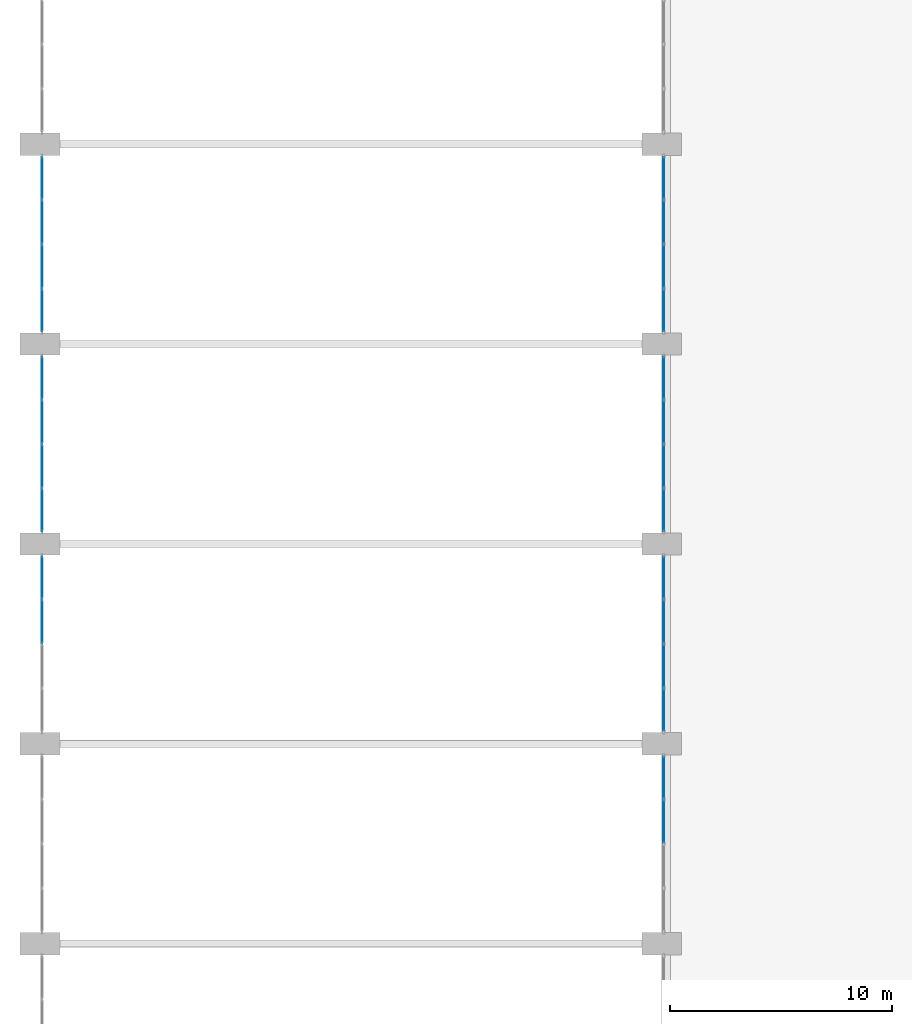
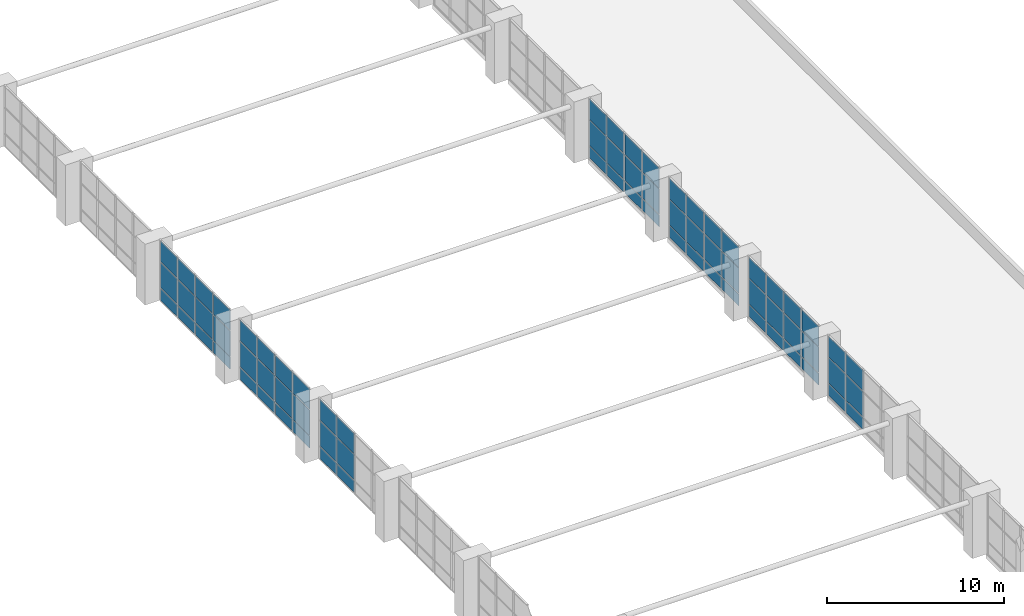
# One storey, part 12 of 21: 72 plates, 7 elements without a shape of their own.
"""IFC4 building model written with IfcOpenShell, lengths in metres."""

from ifc_helpers import new_model, si_unit, direction, frame, origin, origin_2d, place, context, subcontext, project, spatial, rectangle, extrude, material, layer, layer_set, type_object, element, aggregate, save


model = new_model("IFC4")

# Units and contexts
model_context = context("Model", 3, precision=1e-05, world=origin(), true_north=direction((0.0, 1.0)))
body_context = subcontext(model_context, "Body", "Model", "MODEL_VIEW")
ifc_project = project(units=[si_unit("LENGTHUNIT", "METRE"), si_unit("AREAUNIT", "SQUARE_METRE"), si_unit("VOLUMEUNIT", "CUBIC_METRE"), si_unit("PLANEANGLEUNIT", "RADIAN"), si_unit("MASSUNIT", "GRAM", prefix="KILO")], contexts=[model_context])

# Site, building, storey
site_placement = place(None, origin())
site = spatial("IfcSite", under=ifc_project, at=site_placement, CompositionType="ELEMENT")
building_placement = place(site_placement, origin())
building = spatial("IfcBuilding", under=site, at=building_placement, Name="Elmora Arch Market Hall", CompositionType="ELEMENT")
storey_placement = place(building_placement, frame((0.0, 0.0, 14.39990234375)))
storey = spatial("IfcBuildingStorey", under=building, at=storey_placement, Name="L03", CompositionType="ELEMENT", Elevation=14.39990234375)

# Curtain wall, plates
ifc_material_1 = material(Name="Aluminium", Category="aluminium")
curtain_wall_type = type_object("IfcCurtainWallType", Name="Hall front curtain wall", PredefinedType="NOTDEFINED", material=ifc_material_1)
curtain_wall_1_placement = place(storey_placement, origin())
curtain_wall_1 = element("IfcCurtainWall", 1, at=curtain_wall_1_placement, inside=storey, type_object=curtain_wall_type, Name="Hall west glazing L03 4", PredefinedType="NOTDEFINED")
ifc_material_2 = material(Name="Glass", Category="glass")
ifc_layer = layer(ifc_material_2, 0.028076171875)
ifc_layer_set = layer_set([ifc_layer], Name="Glass")
plate_type = type_object("IfcPlateType", Name="Glass panel 28", PredefinedType="CURTAIN_PANEL", material=ifc_layer_set)
plate_1_placement = place(storey_placement, frame((15.090087890625, 59.5, 0.06005859375), z_axis=(0.0, 0.0, 1.0), x_axis=(0.0, 1.0, 0.0)))
plate_1 = element("IfcPlate", 2, at=plate_1_placement, type_object=plate_type, Name="CW2 panel 3.1", PredefinedType="CURTAIN_PANEL", context=body_context, shape_type="SweptSolid", body=[
    extrude(rectangle(XDim=1.919921875, YDim=0.028076171875, at=origin_2d()), origin(), (0.0, 0.0, 1.0), 0.81005859375),
])
plate_2_placement = place(storey_placement, frame((15.090087890625, 59.5, 0.93017578125), z_axis=(0.0, 0.0, 1.0), x_axis=(0.0, 1.0, 0.0)))
plate_2 = element("IfcPlate", 3, at=plate_2_placement, type_object=plate_type, Name="CW2 panel 3.2", PredefinedType="CURTAIN_PANEL", context=body_context, shape_type="SweptSolid", body=[
    extrude(rectangle(XDim=1.919921875, YDim=0.028076171875, at=origin_2d()), origin(), (0.0, 0.0, 1.0), 1.739990234375),
])
plate_3_placement = place(storey_placement, frame((15.090087890625, 59.5, 2.72998046875), z_axis=(0.0, 0.0, 1.0), x_axis=(0.0, 1.0, 0.0)))
plate_3 = element("IfcPlate", 4, at=plate_3_placement, type_object=plate_type, Name="CW2 panel 3.3", PredefinedType="CURTAIN_PANEL", context=body_context, shape_type="SweptSolid", body=[
    extrude(rectangle(XDim=1.919921875, YDim=0.028076171875, at=origin_2d()), origin(), (0.0, 0.0, 1.0), 1.409912109375),
])
plate_4_placement = place(storey_placement, frame((15.090087890625, 61.47998046875, 0.06005859375), z_axis=(0.0, 0.0, 1.0), x_axis=(0.0, 1.0, 0.0)))
plate_4 = element("IfcPlate", 5, at=plate_4_placement, type_object=plate_type, Name="CW2 panel 4.1", PredefinedType="CURTAIN_PANEL", context=body_context, shape_type="SweptSolid", body=[
    extrude(rectangle(XDim=1.8798828125, YDim=0.028076171875, at=origin_2d()), origin(), (0.0, 0.0, 1.0), 0.81005859375),
])
plate_5_placement = place(storey_placement, frame((15.090087890625, 61.47998046875, 0.93017578125), z_axis=(0.0, 0.0, 1.0), x_axis=(0.0, 1.0, 0.0)))
plate_5 = element("IfcPlate", 6, at=plate_5_placement, type_object=plate_type, Name="CW2 panel 4.2", PredefinedType="CURTAIN_PANEL", context=body_context, shape_type="SweptSolid", body=[
    extrude(rectangle(XDim=1.8798828125, YDim=0.028076171875, at=origin_2d()), origin(), (0.0, 0.0, 1.0), 1.739990234375),
])
plate_6_placement = place(storey_placement, frame((15.090087890625, 61.47998046875, 2.72998046875), z_axis=(0.0, 0.0, 1.0), x_axis=(0.0, 1.0, 0.0)))
plate_6 = element("IfcPlate", 7, at=plate_6_placement, type_object=plate_type, Name="CW2 panel 4.3", PredefinedType="CURTAIN_PANEL", context=body_context, shape_type="SweptSolid", body=[
    extrude(rectangle(XDim=1.8798828125, YDim=0.028076171875, at=origin_2d()), origin(), (0.0, 0.0, 1.0), 1.409912109375),
])
aggregate(curtain_wall_1, [plate_1, plate_2, plate_3, plate_4, plate_5, plate_6])

curtain_wall_2_placement = place(storey_placement, origin())
curtain_wall_2 = element("IfcCurtainWall", 8, at=curtain_wall_2_placement, inside=storey, type_object=curtain_wall_type, Name="Hall west glazing L03 5", PredefinedType="NOTDEFINED")
plate_7_placement = place(storey_placement, frame((15.090087890625, 64.52001953125, 0.06005859375), z_axis=(0.0, 0.0, 1.0), x_axis=(0.0, 1.0, 0.0)))
plate_7 = element("IfcPlate", 9, at=plate_7_placement, type_object=plate_type, Name="CW2 panel 1.1", PredefinedType="CURTAIN_PANEL", context=body_context, shape_type="SweptSolid", body=[
    extrude(rectangle(XDim=1.8798828125, YDim=0.028076171875, at=origin_2d()), origin(), (0.0, 0.0, 1.0), 0.81005859375),
])
plate_8_placement = place(storey_placement, frame((15.090087890625, 64.52001953125, 0.93017578125), z_axis=(0.0, 0.0, 1.0), x_axis=(0.0, 1.0, 0.0)))
plate_8 = element("IfcPlate", 10, at=plate_8_placement, type_object=plate_type, Name="CW2 panel 1.2", PredefinedType="CURTAIN_PANEL", context=body_context, shape_type="SweptSolid", body=[
    extrude(rectangle(XDim=1.8798828125, YDim=0.028076171875, at=origin_2d()), origin(), (0.0, 0.0, 1.0), 1.739990234375),
])
plate_9_placement = place(storey_placement, frame((15.090087890625, 64.52001953125, 2.72998046875), z_axis=(0.0, 0.0, 1.0), x_axis=(0.0, 1.0, 0.0)))
plate_9 = element("IfcPlate", 11, at=plate_9_placement, type_object=plate_type, Name="CW2 panel 1.3", PredefinedType="CURTAIN_PANEL", context=body_context, shape_type="SweptSolid", body=[
    extrude(rectangle(XDim=1.8798828125, YDim=0.028076171875, at=origin_2d()), origin(), (0.0, 0.0, 1.0), 1.409912109375),
])
plate_10_placement = place(storey_placement, frame((15.090087890625, 66.5, 0.06005859375), z_axis=(0.0, 0.0, 1.0), x_axis=(0.0, 1.0, 0.0)))
plate_10 = element("IfcPlate", 12, at=plate_10_placement, type_object=plate_type, Name="CW2 panel 2.1", PredefinedType="CURTAIN_PANEL", context=body_context, shape_type="SweptSolid", body=[
    extrude(rectangle(XDim=1.919921875, YDim=0.028076171875, at=origin_2d()), origin(), (0.0, 0.0, 1.0), 0.81005859375),
])
plate_11_placement = place(storey_placement, frame((15.090087890625, 66.5, 0.93017578125), z_axis=(0.0, 0.0, 1.0), x_axis=(0.0, 1.0, 0.0)))
plate_11 = element("IfcPlate", 13, at=plate_11_placement, type_object=plate_type, Name="CW2 panel 2.2", PredefinedType="CURTAIN_PANEL", context=body_context, shape_type="SweptSolid", body=[
    extrude(rectangle(XDim=1.919921875, YDim=0.028076171875, at=origin_2d()), origin(), (0.0, 0.0, 1.0), 1.739990234375),
])
plate_12_placement = place(storey_placement, frame((15.090087890625, 66.5, 2.72998046875), z_axis=(0.0, 0.0, 1.0), x_axis=(0.0, 1.0, 0.0)))
plate_12 = element("IfcPlate", 14, at=plate_12_placement, type_object=plate_type, Name="CW2 panel 2.3", PredefinedType="CURTAIN_PANEL", context=body_context, shape_type="SweptSolid", body=[
    extrude(rectangle(XDim=1.919921875, YDim=0.028076171875, at=origin_2d()), origin(), (0.0, 0.0, 1.0), 1.409912109375),
])
plate_13_placement = place(storey_placement, frame((15.090087890625, 68.5, 0.06005859375), z_axis=(0.0, 0.0, 1.0), x_axis=(0.0, 1.0, 0.0)))
plate_13 = element("IfcPlate", 15, at=plate_13_placement, type_object=plate_type, Name="CW2 panel 3.1", PredefinedType="CURTAIN_PANEL", context=body_context, shape_type="SweptSolid", body=[
    extrude(rectangle(XDim=1.919921875, YDim=0.028076171875, at=origin_2d()), origin(), (0.0, 0.0, 1.0), 0.81005859375),
])
plate_14_placement = place(storey_placement, frame((15.090087890625, 68.5, 0.93017578125), z_axis=(0.0, 0.0, 1.0), x_axis=(0.0, 1.0, 0.0)))
plate_14 = element("IfcPlate", 16, at=plate_14_placement, type_object=plate_type, Name="CW2 panel 3.2", PredefinedType="CURTAIN_PANEL", context=body_context, shape_type="SweptSolid", body=[
    extrude(rectangle(XDim=1.919921875, YDim=0.028076171875, at=origin_2d()), origin(), (0.0, 0.0, 1.0), 1.739990234375),
])
plate_15_placement = place(storey_placement, frame((15.090087890625, 68.5, 2.72998046875), z_axis=(0.0, 0.0, 1.0), x_axis=(0.0, 1.0, 0.0)))
plate_15 = element("IfcPlate", 17, at=plate_15_placement, type_object=plate_type, Name="CW2 panel 3.3", PredefinedType="CURTAIN_PANEL", context=body_context, shape_type="SweptSolid", body=[
    extrude(rectangle(XDim=1.919921875, YDim=0.028076171875, at=origin_2d()), origin(), (0.0, 0.0, 1.0), 1.409912109375),
])
plate_16_placement = place(storey_placement, frame((15.090087890625, 70.47998046875, 0.06005859375), z_axis=(0.0, 0.0, 1.0), x_axis=(0.0, 1.0, 0.0)))
plate_16 = element("IfcPlate", 18, at=plate_16_placement, type_object=plate_type, Name="CW2 panel 4.1", PredefinedType="CURTAIN_PANEL", context=body_context, shape_type="SweptSolid", body=[
    extrude(rectangle(XDim=1.8798828125, YDim=0.028076171875, at=origin_2d()), origin(), (0.0, 0.0, 1.0), 0.81005859375),
])
plate_17_placement = place(storey_placement, frame((15.090087890625, 70.47998046875, 0.93017578125), z_axis=(0.0, 0.0, 1.0), x_axis=(0.0, 1.0, 0.0)))
plate_17 = element("IfcPlate", 19, at=plate_17_placement, type_object=plate_type, Name="CW2 panel 4.2", PredefinedType="CURTAIN_PANEL", context=body_context, shape_type="SweptSolid", body=[
    extrude(rectangle(XDim=1.8798828125, YDim=0.028076171875, at=origin_2d()), origin(), (0.0, 0.0, 1.0), 1.739990234375),
])
plate_18_placement = place(storey_placement, frame((15.090087890625, 70.47998046875, 2.72998046875), z_axis=(0.0, 0.0, 1.0), x_axis=(0.0, 1.0, 0.0)))
plate_18 = element("IfcPlate", 20, at=plate_18_placement, type_object=plate_type, Name="CW2 panel 4.3", PredefinedType="CURTAIN_PANEL", context=body_context, shape_type="SweptSolid", body=[
    extrude(rectangle(XDim=1.8798828125, YDim=0.028076171875, at=origin_2d()), origin(), (0.0, 0.0, 1.0), 1.409912109375),
])
aggregate(curtain_wall_2, [plate_7, plate_8, plate_9, plate_10, plate_11, plate_12, plate_13, plate_14, plate_15, plate_16, plate_17, plate_18])

curtain_wall_3_placement = place(storey_placement, origin())
curtain_wall_3 = element("IfcCurtainWall", 21, at=curtain_wall_3_placement, inside=storey, type_object=curtain_wall_type, Name="Hall west glazing L03 6", PredefinedType="NOTDEFINED")
plate_19_placement = place(storey_placement, frame((15.090087890625, 73.52001953125, 0.06005859375), z_axis=(0.0, 0.0, 1.0), x_axis=(0.0, 1.0, 0.0)))
plate_19 = element("IfcPlate", 22, at=plate_19_placement, type_object=plate_type, Name="CW2 panel 1.1", PredefinedType="CURTAIN_PANEL", context=body_context, shape_type="SweptSolid", body=[
    extrude(rectangle(XDim=1.8798828125, YDim=0.028076171875, at=origin_2d()), origin(), (0.0, 0.0, 1.0), 0.81005859375),
])
plate_20_placement = place(storey_placement, frame((15.090087890625, 73.52001953125, 0.93017578125), z_axis=(0.0, 0.0, 1.0), x_axis=(0.0, 1.0, 0.0)))
plate_20 = element("IfcPlate", 23, at=plate_20_placement, type_object=plate_type, Name="CW2 panel 1.2", PredefinedType="CURTAIN_PANEL", context=body_context, shape_type="SweptSolid", body=[
    extrude(rectangle(XDim=1.8798828125, YDim=0.028076171875, at=origin_2d()), origin(), (0.0, 0.0, 1.0), 1.739990234375),
])
plate_21_placement = place(storey_placement, frame((15.090087890625, 73.52001953125, 2.72998046875), z_axis=(0.0, 0.0, 1.0), x_axis=(0.0, 1.0, 0.0)))
plate_21 = element("IfcPlate", 24, at=plate_21_placement, type_object=plate_type, Name="CW2 panel 1.3", PredefinedType="CURTAIN_PANEL", context=body_context, shape_type="SweptSolid", body=[
    extrude(rectangle(XDim=1.8798828125, YDim=0.028076171875, at=origin_2d()), origin(), (0.0, 0.0, 1.0), 1.409912109375),
])
plate_22_placement = place(storey_placement, frame((15.090087890625, 75.5, 0.06005859375), z_axis=(0.0, 0.0, 1.0), x_axis=(0.0, 1.0, 0.0)))
plate_22 = element("IfcPlate", 25, at=plate_22_placement, type_object=plate_type, Name="CW2 panel 2.1", PredefinedType="CURTAIN_PANEL", context=body_context, shape_type="SweptSolid", body=[
    extrude(rectangle(XDim=1.919921875, YDim=0.028076171875, at=origin_2d()), origin(), (0.0, 0.0, 1.0), 0.81005859375),
])
plate_23_placement = place(storey_placement, frame((15.090087890625, 75.5, 0.93017578125), z_axis=(0.0, 0.0, 1.0), x_axis=(0.0, 1.0, 0.0)))
plate_23 = element("IfcPlate", 26, at=plate_23_placement, type_object=plate_type, Name="CW2 panel 2.2", PredefinedType="CURTAIN_PANEL", context=body_context, shape_type="SweptSolid", body=[
    extrude(rectangle(XDim=1.919921875, YDim=0.028076171875, at=origin_2d()), origin(), (0.0, 0.0, 1.0), 1.739990234375),
])
plate_24_placement = place(storey_placement, frame((15.090087890625, 75.5, 2.72998046875), z_axis=(0.0, 0.0, 1.0), x_axis=(0.0, 1.0, 0.0)))
plate_24 = element("IfcPlate", 27, at=plate_24_placement, type_object=plate_type, Name="CW2 panel 2.3", PredefinedType="CURTAIN_PANEL", context=body_context, shape_type="SweptSolid", body=[
    extrude(rectangle(XDim=1.919921875, YDim=0.028076171875, at=origin_2d()), origin(), (0.0, 0.0, 1.0), 1.409912109375),
])
plate_25_placement = place(storey_placement, frame((15.090087890625, 77.5, 0.06005859375), z_axis=(0.0, 0.0, 1.0), x_axis=(0.0, 1.0, 0.0)))
plate_25 = element("IfcPlate", 28, at=plate_25_placement, type_object=plate_type, Name="CW2 panel 3.1", PredefinedType="CURTAIN_PANEL", context=body_context, shape_type="SweptSolid", body=[
    extrude(rectangle(XDim=1.919921875, YDim=0.028076171875, at=origin_2d()), origin(), (0.0, 0.0, 1.0), 0.81005859375),
])
plate_26_placement = place(storey_placement, frame((15.090087890625, 77.5, 0.93017578125), z_axis=(0.0, 0.0, 1.0), x_axis=(0.0, 1.0, 0.0)))
plate_26 = element("IfcPlate", 29, at=plate_26_placement, type_object=plate_type, Name="CW2 panel 3.2", PredefinedType="CURTAIN_PANEL", context=body_context, shape_type="SweptSolid", body=[
    extrude(rectangle(XDim=1.919921875, YDim=0.028076171875, at=origin_2d()), origin(), (0.0, 0.0, 1.0), 1.739990234375),
])
plate_27_placement = place(storey_placement, frame((15.090087890625, 77.5, 2.72998046875), z_axis=(0.0, 0.0, 1.0), x_axis=(0.0, 1.0, 0.0)))
plate_27 = element("IfcPlate", 30, at=plate_27_placement, type_object=plate_type, Name="CW2 panel 3.3", PredefinedType="CURTAIN_PANEL", context=body_context, shape_type="SweptSolid", body=[
    extrude(rectangle(XDim=1.919921875, YDim=0.028076171875, at=origin_2d()), origin(), (0.0, 0.0, 1.0), 1.409912109375),
])
plate_28_placement = place(storey_placement, frame((15.090087890625, 79.47998046875, 0.06005859375), z_axis=(0.0, 0.0, 1.0), x_axis=(0.0, 1.0, 0.0)))
plate_28 = element("IfcPlate", 31, at=plate_28_placement, type_object=plate_type, Name="CW2 panel 4.1", PredefinedType="CURTAIN_PANEL", context=body_context, shape_type="SweptSolid", body=[
    extrude(rectangle(XDim=1.8798828125, YDim=0.028076171875, at=origin_2d()), origin(), (0.0, 0.0, 1.0), 0.81005859375),
])
plate_29_placement = place(storey_placement, frame((15.090087890625, 79.47998046875, 0.93017578125), z_axis=(0.0, 0.0, 1.0), x_axis=(0.0, 1.0, 0.0)))
plate_29 = element("IfcPlate", 32, at=plate_29_placement, type_object=plate_type, Name="CW2 panel 4.2", PredefinedType="CURTAIN_PANEL", context=body_context, shape_type="SweptSolid", body=[
    extrude(rectangle(XDim=1.8798828125, YDim=0.028076171875, at=origin_2d()), origin(), (0.0, 0.0, 1.0), 1.739990234375),
])
plate_30_placement = place(storey_placement, frame((15.090087890625, 79.47998046875, 2.72998046875), z_axis=(0.0, 0.0, 1.0), x_axis=(0.0, 1.0, 0.0)))
plate_30 = element("IfcPlate", 33, at=plate_30_placement, type_object=plate_type, Name="CW2 panel 4.3", PredefinedType="CURTAIN_PANEL", context=body_context, shape_type="SweptSolid", body=[
    extrude(rectangle(XDim=1.8798828125, YDim=0.028076171875, at=origin_2d()), origin(), (0.0, 0.0, 1.0), 1.409912109375),
])
aggregate(curtain_wall_3, [plate_19, plate_20, plate_21, plate_22, plate_23, plate_24, plate_25, plate_26, plate_27, plate_28, plate_29, plate_30])

curtain_wall_4_placement = place(storey_placement, origin())
curtain_wall_4 = element("IfcCurtainWall", 34, at=curtain_wall_4_placement, inside=storey, type_object=curtain_wall_type, Name="Hall east glazing L03 3", PredefinedType="NOTDEFINED")
plate_31_placement = place(storey_placement, frame((43.090087890625, 50.5, 0.06005859375), z_axis=(0.0, 0.0, 1.0), x_axis=(0.0, 1.0, 0.0)))
plate_31 = element("IfcPlate", 35, at=plate_31_placement, type_object=plate_type, Name="CW2 panel 3.1", PredefinedType="CURTAIN_PANEL", context=body_context, shape_type="SweptSolid", body=[
    extrude(rectangle(XDim=1.919921875, YDim=0.028076171875, at=origin_2d()), origin(), (0.0, 0.0, 1.0), 0.81005859375),
])
plate_32_placement = place(storey_placement, frame((43.090087890625, 50.5, 0.93017578125), z_axis=(0.0, 0.0, 1.0), x_axis=(0.0, 1.0, 0.0)))
plate_32 = element("IfcPlate", 36, at=plate_32_placement, type_object=plate_type, Name="CW2 panel 3.2", PredefinedType="CURTAIN_PANEL", context=body_context, shape_type="SweptSolid", body=[
    extrude(rectangle(XDim=1.919921875, YDim=0.028076171875, at=origin_2d()), origin(), (0.0, 0.0, 1.0), 1.739990234375),
])
plate_33_placement = place(storey_placement, frame((43.090087890625, 50.5, 2.72998046875), z_axis=(0.0, 0.0, 1.0), x_axis=(0.0, 1.0, 0.0)))
plate_33 = element("IfcPlate", 37, at=plate_33_placement, type_object=plate_type, Name="CW2 panel 3.3", PredefinedType="CURTAIN_PANEL", context=body_context, shape_type="SweptSolid", body=[
    extrude(rectangle(XDim=1.919921875, YDim=0.028076171875, at=origin_2d()), origin(), (0.0, 0.0, 1.0), 1.409912109375),
])
plate_34_placement = place(storey_placement, frame((43.090087890625, 52.47998046875, 0.06005859375), z_axis=(0.0, 0.0, 1.0), x_axis=(0.0, 1.0, 0.0)))
plate_34 = element("IfcPlate", 38, at=plate_34_placement, type_object=plate_type, Name="CW2 panel 4.1", PredefinedType="CURTAIN_PANEL", context=body_context, shape_type="SweptSolid", body=[
    extrude(rectangle(XDim=1.8798828125, YDim=0.028076171875, at=origin_2d()), origin(), (0.0, 0.0, 1.0), 0.81005859375),
])
plate_35_placement = place(storey_placement, frame((43.090087890625, 52.47998046875, 0.93017578125), z_axis=(0.0, 0.0, 1.0), x_axis=(0.0, 1.0, 0.0)))
plate_35 = element("IfcPlate", 39, at=plate_35_placement, type_object=plate_type, Name="CW2 panel 4.2", PredefinedType="CURTAIN_PANEL", context=body_context, shape_type="SweptSolid", body=[
    extrude(rectangle(XDim=1.8798828125, YDim=0.028076171875, at=origin_2d()), origin(), (0.0, 0.0, 1.0), 1.739990234375),
])
plate_36_placement = place(storey_placement, frame((43.090087890625, 52.47998046875, 2.72998046875), z_axis=(0.0, 0.0, 1.0), x_axis=(0.0, 1.0, 0.0)))
plate_36 = element("IfcPlate", 40, at=plate_36_placement, type_object=plate_type, Name="CW2 panel 4.3", PredefinedType="CURTAIN_PANEL", context=body_context, shape_type="SweptSolid", body=[
    extrude(rectangle(XDim=1.8798828125, YDim=0.028076171875, at=origin_2d()), origin(), (0.0, 0.0, 1.0), 1.409912109375),
])
aggregate(curtain_wall_4, [plate_31, plate_32, plate_33, plate_34, plate_35, plate_36])

curtain_wall_5_placement = place(storey_placement, origin())
curtain_wall_5 = element("IfcCurtainWall", 41, at=curtain_wall_5_placement, inside=storey, type_object=curtain_wall_type, Name="Hall east glazing L03 4", PredefinedType="NOTDEFINED")
plate_37_placement = place(storey_placement, frame((43.090087890625, 55.52001953125, 0.06005859375), z_axis=(0.0, 0.0, 1.0), x_axis=(0.0, 1.0, 0.0)))
plate_37 = element("IfcPlate", 42, at=plate_37_placement, type_object=plate_type, Name="CW2 panel 1.1", PredefinedType="CURTAIN_PANEL", context=body_context, shape_type="SweptSolid", body=[
    extrude(rectangle(XDim=1.8798828125, YDim=0.028076171875, at=origin_2d()), origin(), (0.0, 0.0, 1.0), 0.81005859375),
])
plate_38_placement = place(storey_placement, frame((43.090087890625, 55.52001953125, 0.93017578125), z_axis=(0.0, 0.0, 1.0), x_axis=(0.0, 1.0, 0.0)))
plate_38 = element("IfcPlate", 43, at=plate_38_placement, type_object=plate_type, Name="CW2 panel 1.2", PredefinedType="CURTAIN_PANEL", context=body_context, shape_type="SweptSolid", body=[
    extrude(rectangle(XDim=1.8798828125, YDim=0.028076171875, at=origin_2d()), origin(), (0.0, 0.0, 1.0), 1.739990234375),
])
plate_39_placement = place(storey_placement, frame((43.090087890625, 55.52001953125, 2.72998046875), z_axis=(0.0, 0.0, 1.0), x_axis=(0.0, 1.0, 0.0)))
plate_39 = element("IfcPlate", 44, at=plate_39_placement, type_object=plate_type, Name="CW2 panel 1.3", PredefinedType="CURTAIN_PANEL", context=body_context, shape_type="SweptSolid", body=[
    extrude(rectangle(XDim=1.8798828125, YDim=0.028076171875, at=origin_2d()), origin(), (0.0, 0.0, 1.0), 1.409912109375),
])
plate_40_placement = place(storey_placement, frame((43.090087890625, 57.5, 0.06005859375), z_axis=(0.0, 0.0, 1.0), x_axis=(0.0, 1.0, 0.0)))
plate_40 = element("IfcPlate", 45, at=plate_40_placement, type_object=plate_type, Name="CW2 panel 2.1", PredefinedType="CURTAIN_PANEL", context=body_context, shape_type="SweptSolid", body=[
    extrude(rectangle(XDim=1.919921875, YDim=0.028076171875, at=origin_2d()), origin(), (0.0, 0.0, 1.0), 0.81005859375),
])
plate_41_placement = place(storey_placement, frame((43.090087890625, 57.5, 0.93017578125), z_axis=(0.0, 0.0, 1.0), x_axis=(0.0, 1.0, 0.0)))
plate_41 = element("IfcPlate", 46, at=plate_41_placement, type_object=plate_type, Name="CW2 panel 2.2", PredefinedType="CURTAIN_PANEL", context=body_context, shape_type="SweptSolid", body=[
    extrude(rectangle(XDim=1.919921875, YDim=0.028076171875, at=origin_2d()), origin(), (0.0, 0.0, 1.0), 1.739990234375),
])
plate_42_placement = place(storey_placement, frame((43.090087890625, 57.5, 2.72998046875), z_axis=(0.0, 0.0, 1.0), x_axis=(0.0, 1.0, 0.0)))
plate_42 = element("IfcPlate", 47, at=plate_42_placement, type_object=plate_type, Name="CW2 panel 2.3", PredefinedType="CURTAIN_PANEL", context=body_context, shape_type="SweptSolid", body=[
    extrude(rectangle(XDim=1.919921875, YDim=0.028076171875, at=origin_2d()), origin(), (0.0, 0.0, 1.0), 1.409912109375),
])
plate_43_placement = place(storey_placement, frame((43.090087890625, 59.5, 0.06005859375), z_axis=(0.0, 0.0, 1.0), x_axis=(0.0, 1.0, 0.0)))
plate_43 = element("IfcPlate", 48, at=plate_43_placement, type_object=plate_type, Name="CW2 panel 3.1", PredefinedType="CURTAIN_PANEL", context=body_context, shape_type="SweptSolid", body=[
    extrude(rectangle(XDim=1.919921875, YDim=0.028076171875, at=origin_2d()), origin(), (0.0, 0.0, 1.0), 0.81005859375),
])
plate_44_placement = place(storey_placement, frame((43.090087890625, 59.5, 0.93017578125), z_axis=(0.0, 0.0, 1.0), x_axis=(0.0, 1.0, 0.0)))
plate_44 = element("IfcPlate", 49, at=plate_44_placement, type_object=plate_type, Name="CW2 panel 3.2", PredefinedType="CURTAIN_PANEL", context=body_context, shape_type="SweptSolid", body=[
    extrude(rectangle(XDim=1.919921875, YDim=0.028076171875, at=origin_2d()), origin(), (0.0, 0.0, 1.0), 1.739990234375),
])
plate_45_placement = place(storey_placement, frame((43.090087890625, 59.5, 2.72998046875), z_axis=(0.0, 0.0, 1.0), x_axis=(0.0, 1.0, 0.0)))
plate_45 = element("IfcPlate", 50, at=plate_45_placement, type_object=plate_type, Name="CW2 panel 3.3", PredefinedType="CURTAIN_PANEL", context=body_context, shape_type="SweptSolid", body=[
    extrude(rectangle(XDim=1.919921875, YDim=0.028076171875, at=origin_2d()), origin(), (0.0, 0.0, 1.0), 1.409912109375),
])
plate_46_placement = place(storey_placement, frame((43.090087890625, 61.47998046875, 0.06005859375), z_axis=(0.0, 0.0, 1.0), x_axis=(0.0, 1.0, 0.0)))
plate_46 = element("IfcPlate", 51, at=plate_46_placement, type_object=plate_type, Name="CW2 panel 4.1", PredefinedType="CURTAIN_PANEL", context=body_context, shape_type="SweptSolid", body=[
    extrude(rectangle(XDim=1.8798828125, YDim=0.028076171875, at=origin_2d()), origin(), (0.0, 0.0, 1.0), 0.81005859375),
])
plate_47_placement = place(storey_placement, frame((43.090087890625, 61.47998046875, 0.93017578125), z_axis=(0.0, 0.0, 1.0), x_axis=(0.0, 1.0, 0.0)))
plate_47 = element("IfcPlate", 52, at=plate_47_placement, type_object=plate_type, Name="CW2 panel 4.2", PredefinedType="CURTAIN_PANEL", context=body_context, shape_type="SweptSolid", body=[
    extrude(rectangle(XDim=1.8798828125, YDim=0.028076171875, at=origin_2d()), origin(), (0.0, 0.0, 1.0), 1.739990234375),
])
plate_48_placement = place(storey_placement, frame((43.090087890625, 61.47998046875, 2.72998046875), z_axis=(0.0, 0.0, 1.0), x_axis=(0.0, 1.0, 0.0)))
plate_48 = element("IfcPlate", 53, at=plate_48_placement, type_object=plate_type, Name="CW2 panel 4.3", PredefinedType="CURTAIN_PANEL", context=body_context, shape_type="SweptSolid", body=[
    extrude(rectangle(XDim=1.8798828125, YDim=0.028076171875, at=origin_2d()), origin(), (0.0, 0.0, 1.0), 1.409912109375),
])
aggregate(curtain_wall_5, [plate_37, plate_38, plate_39, plate_40, plate_41, plate_42, plate_43, plate_44, plate_45, plate_46, plate_47, plate_48])

curtain_wall_6_placement = place(storey_placement, origin())
curtain_wall_6 = element("IfcCurtainWall", 54, at=curtain_wall_6_placement, inside=storey, type_object=curtain_wall_type, Name="Hall east glazing L03 5", PredefinedType="NOTDEFINED")
plate_49_placement = place(storey_placement, frame((43.090087890625, 64.52001953125, 0.06005859375), z_axis=(0.0, 0.0, 1.0), x_axis=(0.0, 1.0, 0.0)))
plate_49 = element("IfcPlate", 55, at=plate_49_placement, type_object=plate_type, Name="CW2 panel 1.1", PredefinedType="CURTAIN_PANEL", context=body_context, shape_type="SweptSolid", body=[
    extrude(rectangle(XDim=1.8798828125, YDim=0.028076171875, at=origin_2d()), origin(), (0.0, 0.0, 1.0), 0.81005859375),
])
plate_50_placement = place(storey_placement, frame((43.090087890625, 64.52001953125, 0.93017578125), z_axis=(0.0, 0.0, 1.0), x_axis=(0.0, 1.0, 0.0)))
plate_50 = element("IfcPlate", 56, at=plate_50_placement, type_object=plate_type, Name="CW2 panel 1.2", PredefinedType="CURTAIN_PANEL", context=body_context, shape_type="SweptSolid", body=[
    extrude(rectangle(XDim=1.8798828125, YDim=0.028076171875, at=origin_2d()), origin(), (0.0, 0.0, 1.0), 1.739990234375),
])
plate_51_placement = place(storey_placement, frame((43.090087890625, 64.52001953125, 2.72998046875), z_axis=(0.0, 0.0, 1.0), x_axis=(0.0, 1.0, 0.0)))
plate_51 = element("IfcPlate", 57, at=plate_51_placement, type_object=plate_type, Name="CW2 panel 1.3", PredefinedType="CURTAIN_PANEL", context=body_context, shape_type="SweptSolid", body=[
    extrude(rectangle(XDim=1.8798828125, YDim=0.028076171875, at=origin_2d()), origin(), (0.0, 0.0, 1.0), 1.409912109375),
])
plate_52_placement = place(storey_placement, frame((43.090087890625, 66.5, 0.06005859375), z_axis=(0.0, 0.0, 1.0), x_axis=(0.0, 1.0, 0.0)))
plate_52 = element("IfcPlate", 58, at=plate_52_placement, type_object=plate_type, Name="CW2 panel 2.1", PredefinedType="CURTAIN_PANEL", context=body_context, shape_type="SweptSolid", body=[
    extrude(rectangle(XDim=1.919921875, YDim=0.028076171875, at=origin_2d()), origin(), (0.0, 0.0, 1.0), 0.81005859375),
])
plate_53_placement = place(storey_placement, frame((43.090087890625, 66.5, 0.93017578125), z_axis=(0.0, 0.0, 1.0), x_axis=(0.0, 1.0, 0.0)))
plate_53 = element("IfcPlate", 59, at=plate_53_placement, type_object=plate_type, Name="CW2 panel 2.2", PredefinedType="CURTAIN_PANEL", context=body_context, shape_type="SweptSolid", body=[
    extrude(rectangle(XDim=1.919921875, YDim=0.028076171875, at=origin_2d()), origin(), (0.0, 0.0, 1.0), 1.739990234375),
])
plate_54_placement = place(storey_placement, frame((43.090087890625, 66.5, 2.72998046875), z_axis=(0.0, 0.0, 1.0), x_axis=(0.0, 1.0, 0.0)))
plate_54 = element("IfcPlate", 60, at=plate_54_placement, type_object=plate_type, Name="CW2 panel 2.3", PredefinedType="CURTAIN_PANEL", context=body_context, shape_type="SweptSolid", body=[
    extrude(rectangle(XDim=1.919921875, YDim=0.028076171875, at=origin_2d()), origin(), (0.0, 0.0, 1.0), 1.409912109375),
])
plate_55_placement = place(storey_placement, frame((43.090087890625, 68.5, 0.06005859375), z_axis=(0.0, 0.0, 1.0), x_axis=(0.0, 1.0, 0.0)))
plate_55 = element("IfcPlate", 61, at=plate_55_placement, type_object=plate_type, Name="CW2 panel 3.1", PredefinedType="CURTAIN_PANEL", context=body_context, shape_type="SweptSolid", body=[
    extrude(rectangle(XDim=1.919921875, YDim=0.028076171875, at=origin_2d()), origin(), (0.0, 0.0, 1.0), 0.81005859375),
])
plate_56_placement = place(storey_placement, frame((43.090087890625, 68.5, 0.93017578125), z_axis=(0.0, 0.0, 1.0), x_axis=(0.0, 1.0, 0.0)))
plate_56 = element("IfcPlate", 62, at=plate_56_placement, type_object=plate_type, Name="CW2 panel 3.2", PredefinedType="CURTAIN_PANEL", context=body_context, shape_type="SweptSolid", body=[
    extrude(rectangle(XDim=1.919921875, YDim=0.028076171875, at=origin_2d()), origin(), (0.0, 0.0, 1.0), 1.739990234375),
])
plate_57_placement = place(storey_placement, frame((43.090087890625, 68.5, 2.72998046875), z_axis=(0.0, 0.0, 1.0), x_axis=(0.0, 1.0, 0.0)))
plate_57 = element("IfcPlate", 63, at=plate_57_placement, type_object=plate_type, Name="CW2 panel 3.3", PredefinedType="CURTAIN_PANEL", context=body_context, shape_type="SweptSolid", body=[
    extrude(rectangle(XDim=1.919921875, YDim=0.028076171875, at=origin_2d()), origin(), (0.0, 0.0, 1.0), 1.409912109375),
])
plate_58_placement = place(storey_placement, frame((43.090087890625, 70.47998046875, 0.06005859375), z_axis=(0.0, 0.0, 1.0), x_axis=(0.0, 1.0, 0.0)))
plate_58 = element("IfcPlate", 64, at=plate_58_placement, type_object=plate_type, Name="CW2 panel 4.1", PredefinedType="CURTAIN_PANEL", context=body_context, shape_type="SweptSolid", body=[
    extrude(rectangle(XDim=1.8798828125, YDim=0.028076171875, at=origin_2d()), origin(), (0.0, 0.0, 1.0), 0.81005859375),
])
plate_59_placement = place(storey_placement, frame((43.090087890625, 70.47998046875, 0.93017578125), z_axis=(0.0, 0.0, 1.0), x_axis=(0.0, 1.0, 0.0)))
plate_59 = element("IfcPlate", 65, at=plate_59_placement, type_object=plate_type, Name="CW2 panel 4.2", PredefinedType="CURTAIN_PANEL", context=body_context, shape_type="SweptSolid", body=[
    extrude(rectangle(XDim=1.8798828125, YDim=0.028076171875, at=origin_2d()), origin(), (0.0, 0.0, 1.0), 1.739990234375),
])
plate_60_placement = place(storey_placement, frame((43.090087890625, 70.47998046875, 2.72998046875), z_axis=(0.0, 0.0, 1.0), x_axis=(0.0, 1.0, 0.0)))
plate_60 = element("IfcPlate", 66, at=plate_60_placement, type_object=plate_type, Name="CW2 panel 4.3", PredefinedType="CURTAIN_PANEL", context=body_context, shape_type="SweptSolid", body=[
    extrude(rectangle(XDim=1.8798828125, YDim=0.028076171875, at=origin_2d()), origin(), (0.0, 0.0, 1.0), 1.409912109375),
])
aggregate(curtain_wall_6, [plate_49, plate_50, plate_51, plate_52, plate_53, plate_54, plate_55, plate_56, plate_57, plate_58, plate_59, plate_60])

curtain_wall_7_placement = place(storey_placement, origin())
curtain_wall_7 = element("IfcCurtainWall", 67, at=curtain_wall_7_placement, inside=storey, type_object=curtain_wall_type, Name="Hall east glazing L03 6", PredefinedType="NOTDEFINED")
plate_61_placement = place(storey_placement, frame((43.090087890625, 73.52001953125, 0.06005859375), z_axis=(0.0, 0.0, 1.0), x_axis=(0.0, 1.0, 0.0)))
plate_61 = element("IfcPlate", 68, at=plate_61_placement, type_object=plate_type, Name="CW2 panel 1.1", PredefinedType="CURTAIN_PANEL", context=body_context, shape_type="SweptSolid", body=[
    extrude(rectangle(XDim=1.8798828125, YDim=0.028076171875, at=origin_2d()), origin(), (0.0, 0.0, 1.0), 0.81005859375),
])
plate_62_placement = place(storey_placement, frame((43.090087890625, 73.52001953125, 0.93017578125), z_axis=(0.0, 0.0, 1.0), x_axis=(0.0, 1.0, 0.0)))
plate_62 = element("IfcPlate", 69, at=plate_62_placement, type_object=plate_type, Name="CW2 panel 1.2", PredefinedType="CURTAIN_PANEL", context=body_context, shape_type="SweptSolid", body=[
    extrude(rectangle(XDim=1.8798828125, YDim=0.028076171875, at=origin_2d()), origin(), (0.0, 0.0, 1.0), 1.739990234375),
])
plate_63_placement = place(storey_placement, frame((43.090087890625, 73.52001953125, 2.72998046875), z_axis=(0.0, 0.0, 1.0), x_axis=(0.0, 1.0, 0.0)))
plate_63 = element("IfcPlate", 70, at=plate_63_placement, type_object=plate_type, Name="CW2 panel 1.3", PredefinedType="CURTAIN_PANEL", context=body_context, shape_type="SweptSolid", body=[
    extrude(rectangle(XDim=1.8798828125, YDim=0.028076171875, at=origin_2d()), origin(), (0.0, 0.0, 1.0), 1.409912109375),
])
plate_64_placement = place(storey_placement, frame((43.090087890625, 75.5, 0.06005859375), z_axis=(0.0, 0.0, 1.0), x_axis=(0.0, 1.0, 0.0)))
plate_64 = element("IfcPlate", 71, at=plate_64_placement, type_object=plate_type, Name="CW2 panel 2.1", PredefinedType="CURTAIN_PANEL", context=body_context, shape_type="SweptSolid", body=[
    extrude(rectangle(XDim=1.919921875, YDim=0.028076171875, at=origin_2d()), origin(), (0.0, 0.0, 1.0), 0.81005859375),
])
plate_65_placement = place(storey_placement, frame((43.090087890625, 75.5, 0.93017578125), z_axis=(0.0, 0.0, 1.0), x_axis=(0.0, 1.0, 0.0)))
plate_65 = element("IfcPlate", 72, at=plate_65_placement, type_object=plate_type, Name="CW2 panel 2.2", PredefinedType="CURTAIN_PANEL", context=body_context, shape_type="SweptSolid", body=[
    extrude(rectangle(XDim=1.919921875, YDim=0.028076171875, at=origin_2d()), origin(), (0.0, 0.0, 1.0), 1.739990234375),
])
plate_66_placement = place(storey_placement, frame((43.090087890625, 75.5, 2.72998046875), z_axis=(0.0, 0.0, 1.0), x_axis=(0.0, 1.0, 0.0)))
plate_66 = element("IfcPlate", 73, at=plate_66_placement, type_object=plate_type, Name="CW2 panel 2.3", PredefinedType="CURTAIN_PANEL", context=body_context, shape_type="SweptSolid", body=[
    extrude(rectangle(XDim=1.919921875, YDim=0.028076171875, at=origin_2d()), origin(), (0.0, 0.0, 1.0), 1.409912109375),
])
plate_67_placement = place(storey_placement, frame((43.090087890625, 77.5, 0.06005859375), z_axis=(0.0, 0.0, 1.0), x_axis=(0.0, 1.0, 0.0)))
plate_67 = element("IfcPlate", 74, at=plate_67_placement, type_object=plate_type, Name="CW2 panel 3.1", PredefinedType="CURTAIN_PANEL", context=body_context, shape_type="SweptSolid", body=[
    extrude(rectangle(XDim=1.919921875, YDim=0.028076171875, at=origin_2d()), origin(), (0.0, 0.0, 1.0), 0.81005859375),
])
plate_68_placement = place(storey_placement, frame((43.090087890625, 77.5, 0.93017578125), z_axis=(0.0, 0.0, 1.0), x_axis=(0.0, 1.0, 0.0)))
plate_68 = element("IfcPlate", 75, at=plate_68_placement, type_object=plate_type, Name="CW2 panel 3.2", PredefinedType="CURTAIN_PANEL", context=body_context, shape_type="SweptSolid", body=[
    extrude(rectangle(XDim=1.919921875, YDim=0.028076171875, at=origin_2d()), origin(), (0.0, 0.0, 1.0), 1.739990234375),
])
plate_69_placement = place(storey_placement, frame((43.090087890625, 77.5, 2.72998046875), z_axis=(0.0, 0.0, 1.0), x_axis=(0.0, 1.0, 0.0)))
plate_69 = element("IfcPlate", 76, at=plate_69_placement, type_object=plate_type, Name="CW2 panel 3.3", PredefinedType="CURTAIN_PANEL", context=body_context, shape_type="SweptSolid", body=[
    extrude(rectangle(XDim=1.919921875, YDim=0.028076171875, at=origin_2d()), origin(), (0.0, 0.0, 1.0), 1.409912109375),
])
plate_70_placement = place(storey_placement, frame((43.090087890625, 79.47998046875, 0.06005859375), z_axis=(0.0, 0.0, 1.0), x_axis=(0.0, 1.0, 0.0)))
plate_70 = element("IfcPlate", 77, at=plate_70_placement, type_object=plate_type, Name="CW2 panel 4.1", PredefinedType="CURTAIN_PANEL", context=body_context, shape_type="SweptSolid", body=[
    extrude(rectangle(XDim=1.8798828125, YDim=0.028076171875, at=origin_2d()), origin(), (0.0, 0.0, 1.0), 0.81005859375),
])
plate_71_placement = place(storey_placement, frame((43.090087890625, 79.47998046875, 0.93017578125), z_axis=(0.0, 0.0, 1.0), x_axis=(0.0, 1.0, 0.0)))
plate_71 = element("IfcPlate", 78, at=plate_71_placement, type_object=plate_type, Name="CW2 panel 4.2", PredefinedType="CURTAIN_PANEL", context=body_context, shape_type="SweptSolid", body=[
    extrude(rectangle(XDim=1.8798828125, YDim=0.028076171875, at=origin_2d()), origin(), (0.0, 0.0, 1.0), 1.739990234375),
])
plate_72_placement = place(storey_placement, frame((43.090087890625, 79.47998046875, 2.72998046875), z_axis=(0.0, 0.0, 1.0), x_axis=(0.0, 1.0, 0.0)))
plate_72 = element("IfcPlate", 79, at=plate_72_placement, type_object=plate_type, Name="CW2 panel 4.3", PredefinedType="CURTAIN_PANEL", context=body_context, shape_type="SweptSolid", body=[
    extrude(rectangle(XDim=1.8798828125, YDim=0.028076171875, at=origin_2d()), origin(), (0.0, 0.0, 1.0), 1.409912109375),
])
aggregate(curtain_wall_7, [plate_61, plate_62, plate_63, plate_64, plate_65, plate_66, plate_67, plate_68, plate_69, plate_70, plate_71, plate_72])

save(model, "model.ifc")
